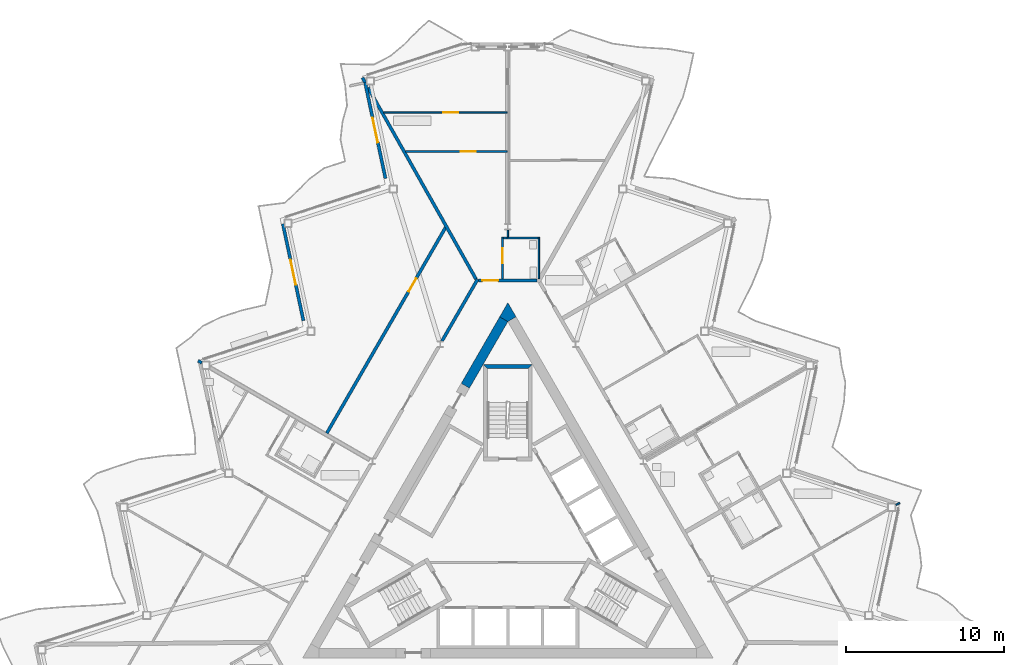
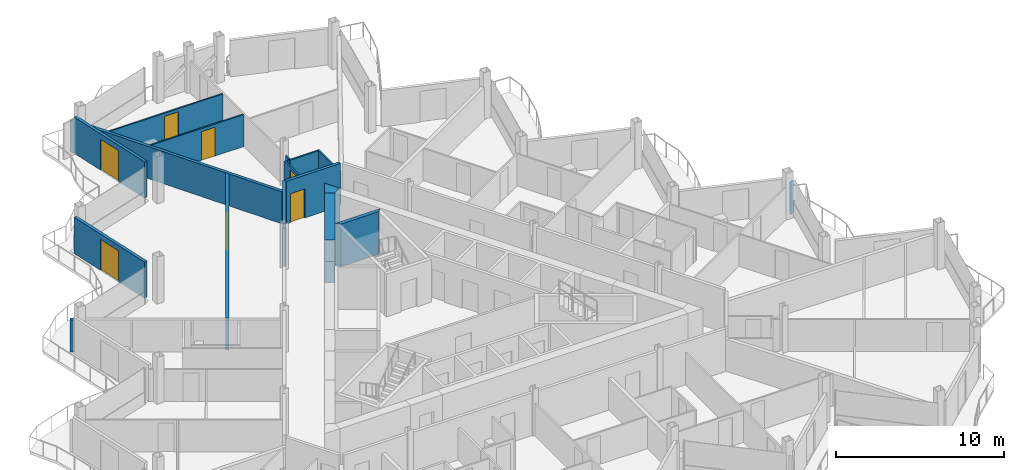
# One storey, part 17 of 26: 19 walls, 7 doors, 7 openings.
"""IFC4 building model written with IfcOpenShell, lengths in metres."""

from ifc_helpers import new_model, si_unit, direction, frame, frame_2d, origin, place, context, subcontext, project, spatial, polyline, rectangle, outline, extrude, material, layer, layer_set, type_object, element, fill, save


model = new_model("IFC4")

# Units and contexts
model_context = context("Model", 3, precision=1e-05, world=origin(), true_north=direction((0.0, 1.0)))
body_context = subcontext(model_context, "Body", "Model", "MODEL_VIEW")
ifc_project = project(units=[si_unit("LENGTHUNIT", "METRE"), si_unit("AREAUNIT", "SQUARE_METRE"), si_unit("VOLUMEUNIT", "CUBIC_METRE"), si_unit("PLANEANGLEUNIT", "RADIAN"), si_unit("MASSUNIT", "GRAM", prefix="KILO")], contexts=[model_context])

# Site, building, storey
site_placement = place(None, origin())
site = spatial("IfcSite", under=ifc_project, at=site_placement, CompositionType="ELEMENT")
building_placement = place(site_placement, origin())
building = spatial("IfcBuilding", under=site, at=building_placement, Name="Cormorant Prow Tower", CompositionType="ELEMENT")
storey_placement = place(building_placement, frame((0.0, 0.0, 371.199951171875)))
storey = spatial("IfcBuildingStorey", under=building, at=storey_placement, Name="L83", CompositionType="ELEMENT", Elevation=371.199951171875)

# Walls
ifc_material_1 = material(Name="Concrete 8000 psi", Category="concrete")
ifc_layer_1 = layer(ifc_material_1, 0.60009765625)
ifc_layer_set_1 = layer_set([ifc_layer_1], Name="Concrete 8000 psi")
wall_type_1 = type_object("IfcWallType", Name="Core shear wall 600", PredefinedType="SHEAR", material=ifc_layer_set_1)
wall_1_placement = place(storey_placement, frame((-0.259765625, 13.961181640625, 0.0), z_axis=(0.0, 0.0, 1.0), x_axis=(-0.50000604952, -0.866021911064, 0.0)))
element("IfcWall", 1, at=wall_1_placement, inside=storey, type_object=wall_type_1, Name="Core wall", PredefinedType="SHEAR", context=body_context, shape_type="SweptSolid", body=[
    extrude(rectangle(XDim=4.86865234375, YDim=0.60009765625, at=frame_2d((2.434326171875, 0.0))), origin(), (0.0, 0.0, 1.0), 3.10009765625),
])
wall_2_placement = place(storey_placement, origin())
element("IfcWall", 2, at=wall_2_placement, inside=storey, type_object=wall_type_1, Name="Core wall corner", PredefinedType="SHEAR", context=body_context, shape_type="SweptSolid", body=[
    extrude(outline(polyline([(-0.51953125, 14.111083984375), (0.0, 15.010986328125), (0.51953125, 14.111083984375), (0.0, 13.81103515625), (-0.51953125, 14.111083984375)])), origin(), (0.0, 0.0, 1.0), 3.10009765625),
])
ifc_material_2 = material(Name="Gypsum board corridor wall")
ifc_layer_2 = layer(ifc_material_2, 0.199951171875)
ifc_layer_set_2 = layer_set([ifc_layer_2], Name="Gypsum board corridor wall")
wall_type_2 = type_object("IfcWallType", Name="Corridor wall 200", PredefinedType="PARTITIONING", material=ifc_layer_set_2)
wall_3_placement = place(storey_placement, frame((-4.175537109375, 12.578857421875, 0.0), z_axis=(0.0, 0.0, 1.0), x_axis=(0.499974648164, 0.866040040179, 0.0)))
element("IfcWall", 3, at=wall_3_placement, inside=storey, type_object=wall_type_2, Name="Corridor wall", PredefinedType="PARTITIONING", context=body_context, shape_type="SweptSolid", body=[
    extrude(rectangle(XDim=4.525146484375, YDim=0.199951171875, at=frame_2d((2.2626953125, 0.0))), origin(), (0.0, 0.0, 1.0), 3.10009765625),
])

# Wall, opening, door
wall_4_placement = place(storey_placement, frame((-1.863037109375, 16.4111328125, 0.0), z_axis=(0.0, 0.0, 1.0), x_axis=(1.0, 0.0, 0.0)))
wall_4 = element("IfcWall", 4, at=wall_4_placement, inside=storey, type_object=wall_type_2, Name="Corridor wall", PredefinedType="PARTITIONING", context=body_context, shape_type="SweptSolid", body=[
    extrude(rectangle(XDim=3.700927734375, YDim=0.199951171875, at=frame_2d((1.8505859375, 0.0))), origin(), (0.0, 0.0, 1.0), 3.10009765625),
])
opening_1_placement = place(wall_4_placement, frame((0.25, 0.0, 0.0)))
opening_1 = element("IfcOpeningElement", 5, at=opening_1_placement, cuts=wall_4, Name="Opening L83-F37", PredefinedType="OPENING", context=body_context, shape_type="SweptSolid", body=[
    extrude(rectangle(XDim=1.0, YDim=2.10009765625, at=frame_2d((0.5, 1.050048828125))), frame((0.0, 0.10986328125, 0.0), z_axis=(0.0, -1.0, 0.0), x_axis=(1.0, 0.0, 0.0)), (0.0, 0.0, 1.0), 0.219970703125),
])
ifc_material_3 = material(Name="Timber door leaf", Category="wood")
door_type_1 = type_object("IfcDoorType", Name="Flat or room entrance door 1000x2100", OperationType="NOTDEFINED", PredefinedType="DOOR", material=ifc_material_3)
door_1_placement = place(opening_1_placement, origin())
door_1 = element("IfcDoor", 6, at=door_1_placement, inside=storey, type_object=door_type_1, Name="Living room door", OperationType="SINGLE_SWING_RIGHT", OverallHeight=2.10009765625, OverallWidth=1.0, PredefinedType="DOOR", context=body_context, shape_type="SweptSolid", body=[
    extrude(rectangle(XDim=1.0, YDim=2.10009765625, at=frame_2d((0.5, 1.050048828125))), frame((0.0, 0.02490234375, 0.0), z_axis=(0.0, -1.0, 0.0), x_axis=(1.0, 0.0, 0.0)), (0.0, 0.0, 1.0), 0.050048828125),
])
fill(opening_1, door_1)

ifc_material_4 = material(Name="Gypsum board demising wall")
ifc_layer_3 = layer(ifc_material_4, 0.199951171875)
ifc_layer_set_3 = layer_set([ifc_layer_3], Name="Gypsum board demising wall")
wall_type_3 = type_object("IfcWallType", Name="Demising wall 200", PredefinedType="PARTITIONING", material=ifc_layer_set_3)
wall_5_placement = place(storey_placement, frame((-11.472900390625, 6.739501953125, 0.0), z_axis=(0.0, 0.0, 1.0), x_axis=(0.500001082559, 0.866024778768, 0.0)))
wall_5 = element("IfcWall", 7, at=wall_5_placement, inside=storey, type_object=wall_type_3, Name="Demising wall", PredefinedType="PARTITIONING", context=body_context, shape_type="SweptSolid", body=[
    extrude(rectangle(XDim=15.09375, YDim=0.199951171875, at=frame_2d((7.546875, 0.0))), origin(), (0.0, 0.0, 1.0), 2.330078125),
])
opening_2_placement = place(wall_5_placement, frame((10.382568359375, 0.0, 0.0)))
opening_2 = element("IfcOpeningElement", 8, at=opening_2_placement, cuts=wall_5, Name="Opening L83-F44", PredefinedType="OPENING", context=body_context, shape_type="SweptSolid", body=[
    extrude(rectangle(XDim=0.949951171875, YDim=2.10009765625, at=frame_2d((0.47509765625, 1.050048828125))), frame((0.0, 0.10986328125, 0.0), z_axis=(0.0, -1.0, 0.0), x_axis=(1.0, 0.0, 0.0)), (0.0, 0.0, 1.0), 0.219970703125),
])
ifc_material_5 = material(Name="Timber door leaf", Category="wood")
door_type_2 = type_object("IfcDoorType", Name="Store door 950x2100", OperationType="NOTDEFINED", PredefinedType="DOOR", material=ifc_material_5)
door_2_placement = place(opening_2_placement, origin())
door_2 = element("IfcDoor", 9, at=door_2_placement, inside=storey, type_object=door_type_2, Name="Refuse room door", OperationType="SINGLE_SWING_LEFT", OverallHeight=2.10009765625, OverallWidth=0.949951171875, PredefinedType="DOOR", context=body_context, shape_type="SweptSolid", body=[
    extrude(rectangle(XDim=0.949951171875, YDim=2.10009765625, at=frame_2d((0.47509765625, 1.050048828125))), frame((0.0, 0.02490234375, 0.0), z_axis=(0.0, -1.0, 0.0), x_axis=(1.0, 0.0, 0.0)), (0.0, 0.0, 1.0), 0.050048828125),
])
fill(opening_2, door_2)

# Walls
wall_6_placement = place(storey_placement, frame((-8.864990234375, 28.649169921875, 0.0), z_axis=(0.0, 0.0, 1.0), x_axis=(0.491236420263, -0.871026279401, 0.0)))
element("IfcWall", 10, at=wall_6_placement, inside=storey, type_object=wall_type_3, Name="Demising wall", PredefinedType="PARTITIONING", context=body_context, shape_type="SweptSolid", body=[
    extrude(rectangle(XDim=13.949951171875, YDim=0.199951171875, at=frame_2d((6.97509765625, 0.0))), origin(), (0.0, 0.0, 1.0), 2.330078125),
])
wall_7_placement = place(storey_placement, frame((-9.211181640625, 29.262939453125, 0.0), z_axis=(0.0, 0.0, 1.0), x_axis=(0.4910719836, -0.871118996994, 0.0)))
element("IfcWall", 11, at=wall_7_placement, inside=storey, type_object=wall_type_3, Name="Demising wall", PredefinedType="PARTITIONING", context=body_context, shape_type="SweptSolid", body=[
    extrude(rectangle(XDim=0.343017578125, YDim=0.199951171875, at=frame_2d((0.17138671875, 0.0))), origin(), (0.0, 0.0, 1.0), 2.330078125),
])
wall_8_placement = place(storey_placement, frame((-19.62890625, 11.332763671875, 0.0), z_axis=(0.0, 0.0, 1.0), x_axis=(0.866068339032, -0.499925626596, 0.0)))
element("IfcWall", 12, at=wall_8_placement, inside=storey, type_object=wall_type_3, Name="Demising wall", PredefinedType="PARTITIONING", context=body_context, shape_type="SweptSolid", body=[
    extrude(rectangle(XDim=0.27734375, YDim=0.199951171875, at=frame_2d((0.138671875, 0.0))), origin(), (0.0, 0.0, 1.0), 2.330078125),
])

# Wall, opening, door
ifc_material_6 = material(Name="Gypsum board partition")
ifc_layer_4 = layer(ifc_material_6, 0.10009765625)
ifc_layer_set_4 = layer_set([ifc_layer_4], Name="Gypsum board partition")
wall_type_4 = type_object("IfcWallType", Name="Internal partition 100", PredefinedType="PARTITIONING", material=ifc_layer_set_4)
wall_9_placement = place(storey_placement, frame((-7.870849609375, 27.063720703125, 0.0), z_axis=(0.0, 0.0, 1.0), x_axis=(1.0, 0.0, 0.0)))
wall_9 = element("IfcWall", 13, at=wall_9_placement, inside=storey, type_object=wall_type_4, Name="Internal partition", PredefinedType="PARTITIONING", context=body_context, shape_type="SweptSolid", body=[
    extrude(rectangle(XDim=7.82080078125, YDim=0.10009765625, at=frame_2d((3.910400390625, 0.0))), origin(), (0.0, 0.0, 1.0), 2.330078125),
])
opening_3_placement = place(wall_9_placement, frame((3.789306640625, 0.0, 0.0)))
opening_3 = element("IfcOpeningElement", 14, at=opening_3_placement, cuts=wall_9, Name="Opening L83-F40", PredefinedType="OPENING", context=body_context, shape_type="SweptSolid", body=[
    extrude(rectangle(XDim=0.949951171875, YDim=2.10009765625, at=frame_2d((0.47509765625, 1.050048828125))), frame((0.0, 0.06005859375, 0.0), z_axis=(0.0, -1.0, 0.0), x_axis=(1.0, 0.0, 0.0)), (0.0, 0.0, 1.0), 0.1201171875),
])
ifc_material_7 = material(Name="Timber door leaf", Category="wood")
door_type_3 = type_object("IfcDoorType", Name="Bathroom door 950x2100", OperationType="NOTDEFINED", PredefinedType="DOOR", material=ifc_material_7)
door_3_placement = place(opening_3_placement, origin())
door_3 = element("IfcDoor", 15, at=door_3_placement, inside=storey, type_object=door_type_3, Name="Kitchen door", OperationType="SINGLE_SWING_RIGHT", OverallHeight=2.10009765625, OverallWidth=0.949951171875, PredefinedType="DOOR", context=body_context, shape_type="SweptSolid", body=[
    extrude(rectangle(XDim=0.949951171875, YDim=2.10009765625, at=frame_2d((0.47509765625, 1.050048828125))), frame((0.0, 0.02490234375, 0.0), z_axis=(0.0, -1.0, 0.0), x_axis=(1.0, 0.0, 0.0)), (0.0, 0.0, 1.0), 0.050048828125),
])
fill(opening_3, door_3)

wall_10_placement = place(storey_placement, frame((-6.47509765625, 24.588623046875, 0.0), z_axis=(0.0, 0.0, 1.0), x_axis=(1.0, 0.0, 0.0)))
wall_10 = element("IfcWall", 16, at=wall_10_placement, inside=storey, type_object=wall_type_4, Name="Internal partition", PredefinedType="PARTITIONING", context=body_context, shape_type="SweptSolid", body=[
    extrude(rectangle(XDim=6.425048828125, YDim=0.10009765625, at=frame_2d((3.21240234375, 0.0))), origin(), (0.0, 0.0, 1.0), 2.330078125),
])
opening_4_placement = place(wall_10_placement, frame((3.4990234375, 0.0, 0.0)))
opening_4 = element("IfcOpeningElement", 17, at=opening_4_placement, cuts=wall_10, Name="Opening L83-F39", PredefinedType="OPENING", context=body_context, shape_type="SweptSolid", body=[
    extrude(rectangle(XDim=0.949951171875, YDim=2.10009765625, at=frame_2d((0.47509765625, 1.050048828125))), frame((0.0, 0.06005859375, 0.0), z_axis=(0.0, -1.0, 0.0), x_axis=(1.0, 0.0, 0.0)), (0.0, 0.0, 1.0), 0.1201171875),
])
door_4_placement = place(opening_4_placement, origin())
door_4 = element("IfcDoor", 18, at=door_4_placement, inside=storey, type_object=door_type_3, Name="Living room door", OperationType="SINGLE_SWING_LEFT", OverallHeight=2.10009765625, OverallWidth=0.949951171875, PredefinedType="DOOR", context=body_context, shape_type="SweptSolid", body=[
    extrude(rectangle(XDim=0.949951171875, YDim=2.10009765625, at=frame_2d((0.47509765625, 1.050048828125))), frame((0.0, 0.02490234375, 0.0), z_axis=(0.0, -1.0, 0.0), x_axis=(1.0, 0.0, 0.0)), (0.0, 0.0, 1.0), 0.050048828125),
])
fill(opening_4, door_4)

# Wall
wall_11_placement = place(storey_placement, frame((1.962890625, 16.5361328125, 0.0), z_axis=(0.0, 0.0, 1.0), x_axis=(0.0, 1.0, 0.0)))
element("IfcWall", 19, at=wall_11_placement, inside=storey, type_object=wall_type_4, Name="Internal partition", PredefinedType="PARTITIONING", context=body_context, shape_type="SweptSolid", body=[
    extrude(rectangle(XDim=2.625, YDim=0.10009765625, at=frame_2d((1.3125, 0.0))), origin(), (0.0, 0.0, 1.0), 2.330078125),
])

# Wall, opening, door
wall_12_placement = place(storey_placement, frame((-0.3369140625, 16.510986328125, 0.0), z_axis=(0.0, 0.0, 1.0), x_axis=(0.0, 1.0, 0.0)))
wall_12 = element("IfcWall", 20, at=wall_12_placement, inside=storey, type_object=wall_type_4, Name="Internal partition", PredefinedType="PARTITIONING", context=body_context, shape_type="SweptSolid", body=[
    extrude(rectangle(XDim=2.649169921875, YDim=0.10009765625, at=frame_2d((1.32470703125, 0.0))), origin(), (0.0, 0.0, 1.0), 2.330078125),
])
opening_5_placement = place(wall_12_placement, frame((1.01318359375, 0.0, 0.0)))
opening_5 = element("IfcOpeningElement", 21, at=opening_5_placement, cuts=wall_12, Name="Opening L83-F38", PredefinedType="OPENING", context=body_context, shape_type="SweptSolid", body=[
    extrude(rectangle(XDim=0.949951171875, YDim=2.10009765625, at=frame_2d((0.47509765625, 1.050048828125))), frame((0.0, 0.06005859375, 0.0), z_axis=(0.0, -1.0, 0.0), x_axis=(1.0, 0.0, 0.0)), (0.0, 0.0, 1.0), 0.1201171875),
])
door_5_placement = place(opening_5_placement, origin())
door_5 = element("IfcDoor", 22, at=door_5_placement, inside=storey, type_object=door_type_3, Name="Living room door", OperationType="SINGLE_SWING_RIGHT", OverallHeight=2.10009765625, OverallWidth=0.949951171875, PredefinedType="DOOR", context=body_context, shape_type="SweptSolid", body=[
    extrude(rectangle(XDim=0.949951171875, YDim=2.10009765625, at=frame_2d((0.47509765625, 1.050048828125))), frame((0.0, 0.02490234375, 0.0), z_axis=(0.0, -1.0, 0.0), x_axis=(1.0, 0.0, 0.0)), (0.0, 0.0, 1.0), 0.050048828125),
])
fill(opening_5, door_5)

# Walls
wall_13_placement = place(storey_placement, frame((-0.06005859375, 19.111083984375, 0.0), z_axis=(0.0, 0.0, 1.0), x_axis=(1.0, 0.0, 0.0)))
element("IfcWall", 23, at=wall_13_placement, inside=storey, type_object=wall_type_4, Name="Internal partition", PredefinedType="PARTITIONING", context=body_context, shape_type="SweptSolid", body=[
    extrude(rectangle(XDim=1.97314453125, YDim=0.10009765625, at=frame_2d((0.986572265625, 0.0))), origin(), (0.0, 0.0, 1.0), 2.330078125),
])
wall_14_placement = place(storey_placement, frame((0.0, 19.1611328125, 0.0), z_axis=(0.0, 0.0, 1.0), x_axis=(0.0, 1.0, 0.0)))
element("IfcWall", 24, at=wall_14_placement, inside=storey, type_object=wall_type_4, Name="Internal partition", PredefinedType="PARTITIONING", context=body_context, shape_type="SweptSolid", body=[
    extrude(rectangle(XDim=0.452880859375, YDim=0.10009765625, at=frame_2d((0.2265625, 0.0))), origin(), (0.0, 0.0, 1.0), 2.330078125),
])
wall_15_placement = place(storey_placement, frame((24.588623046875, 2.1875, 0.0), z_axis=(0.0, 0.0, 1.0), x_axis=(0.866288059981, 0.499544789918, 0.0)))
element("IfcWall", 25, at=wall_15_placement, inside=storey, type_object=wall_type_4, Name="Internal partition", PredefinedType="PARTITIONING", context=body_context, shape_type="SweptSolid", body=[
    extrude(rectangle(XDim=0.277587890625, YDim=0.10009765625, at=frame_2d((0.138671875, 0.0))), origin(), (0.0, 0.0, 1.0), 2.330078125),
])
wall_16_placement = place(storey_placement, frame((-0.287109375, 19.1103515625, 0.0), z_axis=(0.0, 0.0, 1.0), x_axis=(0.999994683407, 0.003260852229, 0.0)))
element("IfcWall", 26, at=wall_16_placement, inside=storey, type_object=wall_type_4, Name="Internal partition", PredefinedType="PARTITIONING", context=body_context, shape_type="SweptSolid", body=[
    extrude(rectangle(XDim=0.224609375, YDim=0.10009765625, at=frame_2d((0.1123046875, 0.0))), origin(), (0.0, 0.0, 1.0), 2.330078125),
])
ifc_material_8 = material(Name="Concrete 8000 psi", Category="concrete")
ifc_layer_5 = layer(ifc_material_8, 0.25)
ifc_layer_set_5 = layer_set([ifc_layer_5], Name="Concrete 8000 psi")
wall_type_5 = type_object("IfcWallType", Name="Stair wall 250", PredefinedType="SHEAR", material=ifc_layer_set_5)
wall_17_placement = place(storey_placement, origin())
element("IfcWall", 27, at=wall_17_placement, inside=storey, type_object=wall_type_5, Name="Stair ST3 enclosure wall (end)", PredefinedType="SHEAR", context=body_context, shape_type="SweptSolid", body=[
    extrude(outline(polyline([(1.5439453125, 11.0869140625), (-1.5439453125, 11.0869140625), (-1.2939453125, 10.8369140625), (1.2939453125, 10.8369140625), (1.5439453125, 11.0869140625)])), origin(), (0.0, 0.0, 1.0), 3.10009765625),
])

# Wall, opening, door
ifc_material_9 = material(Name="Terracotta", Category="masonry")
ifc_layer_6 = layer(ifc_material_9, 0.199951171875)
ifc_layer_set_6 = layer_set([ifc_layer_6], Name="Terracotta")
wall_type_6 = type_object("IfcWallType", Name="Terracotta jamb wall 200", PredefinedType="SOLIDWALL", material=ifc_layer_set_6)
wall_18_placement = place(storey_placement, frame((-9.05517578125, 29.009033203125, 0.0), z_axis=(0.0, 0.0, 1.0), x_axis=(0.207926797195, -0.978144389652, 0.0)))
wall_18 = element("IfcWall", 28, at=wall_18_placement, inside=storey, type_object=wall_type_6, Name="Terracotta jamb wall WNW01", PredefinedType="SOLIDWALL", context=body_context, shape_type="SweptSolid", body=[
    extrude(rectangle(XDim=6.265380859375, YDim=0.199951171875, at=frame_2d((3.1328125, 0.0))), origin(), (0.0, 0.0, 1.0), 2.634033203125),
])
opening_6_placement = place(wall_18_placement, frame((2.332763671875, 0.0, 0.0)))
opening_6 = element("IfcOpeningElement", 29, at=opening_6_placement, cuts=wall_18, Name="Opening ED83.11", PredefinedType="OPENING", context=body_context, shape_type="SweptSolid", body=[
    extrude(rectangle(XDim=1.60009765625, YDim=2.25, at=frame_2d((0.800048828125, 1.125))), frame((0.0, 0.10986328125, 0.0), z_axis=(0.0, -1.0, 0.0), x_axis=(1.0, 0.0, 0.0)), (0.0, 0.0, 1.0), 0.219970703125),
])
ifc_material_10 = material(Name="Aluminium 6063-T6", Category="aluminium")
door_type_4 = type_object("IfcDoorType", Name="Balcony door 1600x2250", OperationType="DOUBLE_DOOR_SINGLE_SWING", PredefinedType="DOOR", material=ifc_material_10)
door_6_placement = place(opening_6_placement, origin())
door_6 = element("IfcDoor", 30, at=door_6_placement, inside=storey, type_object=door_type_4, Name="Balcony door WNW01 ED83.11", OperationType="DOUBLE_DOOR_SINGLE_SWING", OverallHeight=2.25, OverallWidth=1.60009765625, PredefinedType="DOOR", context=body_context, shape_type="SweptSolid", body=[
    extrude(rectangle(XDim=1.60009765625, YDim=2.25, at=frame_2d((0.800048828125, 1.125))), frame((0.0, 0.02490234375, 0.0), z_axis=(0.0, -1.0, 0.0), x_axis=(1.0, 0.0, 0.0)), (0.0, 0.0, 1.0), 0.050048828125),
])
fill(opening_6, door_6)

wall_19_placement = place(storey_placement, frame((-14.255126953125, 20.002197265625, 0.0), z_axis=(0.0, 0.0, 1.0), x_axis=(0.207926797195, -0.978144389652, 0.0)))
wall_19 = element("IfcWall", 31, at=wall_19_placement, inside=storey, type_object=wall_type_6, Name="Terracotta jamb wall WNW03", PredefinedType="SOLIDWALL", context=body_context, shape_type="SweptSolid", body=[
    extrude(rectangle(XDim=6.265380859375, YDim=0.199951171875, at=frame_2d((3.1328125, 0.0))), origin(), (0.0, 0.0, 1.0), 2.634033203125),
])
opening_7_placement = place(wall_19_placement, frame((2.332763671875, 0.0, 0.0)))
opening_7 = element("IfcOpeningElement", 32, at=opening_7_placement, cuts=wall_19, Name="Opening ED83.12", PredefinedType="OPENING", context=body_context, shape_type="SweptSolid", body=[
    extrude(rectangle(XDim=1.60009765625, YDim=2.25, at=frame_2d((0.800048828125, 1.125))), frame((0.0, 0.10986328125, 0.0), z_axis=(0.0, -1.0, 0.0), x_axis=(1.0, 0.0, 0.0)), (0.0, 0.0, 1.0), 0.219970703125),
])
door_7_placement = place(opening_7_placement, origin())
door_7 = element("IfcDoor", 33, at=door_7_placement, inside=storey, type_object=door_type_4, Name="Balcony door WNW03 ED83.12", OperationType="DOUBLE_DOOR_SINGLE_SWING", OverallHeight=2.25, OverallWidth=1.60009765625, PredefinedType="DOOR", context=body_context, shape_type="SweptSolid", body=[
    extrude(rectangle(XDim=1.60009765625, YDim=2.25, at=frame_2d((0.800048828125, 1.125))), frame((0.0, 0.02490234375, 0.0), z_axis=(0.0, -1.0, 0.0), x_axis=(1.0, 0.0, 0.0)), (0.0, 0.0, 1.0), 0.050048828125),
])
fill(opening_7, door_7)

save(model, "model.ifc")
